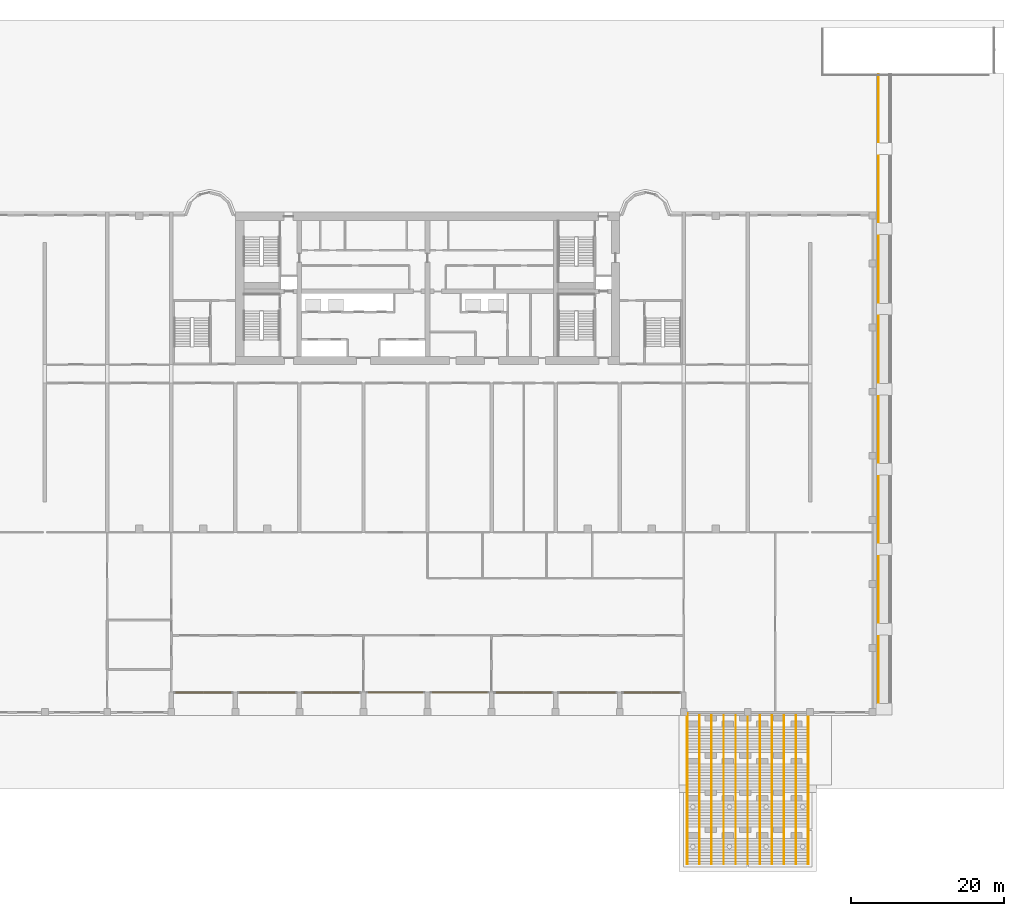
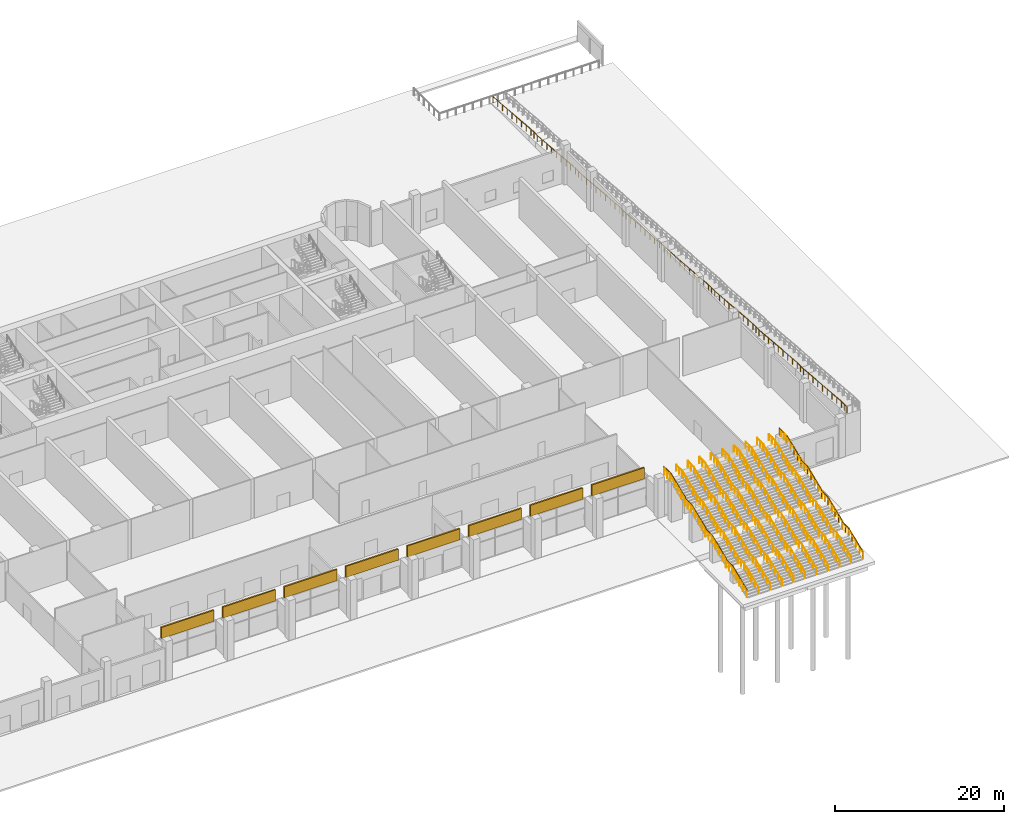
# One storey, part 17 of 20: 14 railings, 8 coverings.
"""IFC4 building model written with IfcOpenShell, lengths in metres."""

from ifc_helpers import new_model, si_unit, direction, frame, frame_2d, origin, origin_2d, place, context, subcontext, project, spatial, rectangle, circle, extrude, source, transform, mapped, material, layer, layer_set, type_object, element, save


model = new_model("IFC4")

# Units and contexts
model_context = context("Model", 3, precision=1e-05, world=origin(), true_north=direction((0.0, 1.0)))
body_context = subcontext(model_context, "Body", "Model", "MODEL_VIEW")
ifc_project = project(units=[si_unit("LENGTHUNIT", "METRE"), si_unit("AREAUNIT", "SQUARE_METRE"), si_unit("VOLUMEUNIT", "CUBIC_METRE"), si_unit("PLANEANGLEUNIT", "RADIAN"), si_unit("MASSUNIT", "GRAM", prefix="KILO")], contexts=[model_context])

# Site, building, storey
site_placement = place(None, origin())
site = spatial("IfcSite", under=ifc_project, at=site_placement, CompositionType="ELEMENT")
building_placement = place(site_placement, origin())
building = spatial("IfcBuilding", under=site, at=building_placement, Name="Vanashikhar Sky Hotel", CompositionType="ELEMENT")
storey_placement = place(building_placement, origin())
storey = spatial("IfcBuildingStorey", under=building, at=storey_placement, Name="L00", CompositionType="ELEMENT", Elevation=0.0)

# Coverings
ifc_material_1 = material(Name="Precast concrete cladding M50", Category="concrete")
ifc_layer = layer(ifc_material_1, 0.199951171875)
ifc_layer_set = layer_set([ifc_layer], Name="Lobby soffit cladding 200")
covering_type = type_object("IfcCoveringType", Name="Lobby soffit cladding 200", PredefinedType="CLADDING", material=ifc_layer_set)
shared_shape_1 = source(origin(), body_context, "Body", "SweptSolid", [
    extrude(rectangle(XDim=7.2001953125, YDim=0.199951171875, at=frame_2d((3.60009765625, 0.0))), origin(), (0.0, 0.0, 1.0), 1.599853515625),
])
for number, where, z_axis, x_axis, name in (
    (1, (17.39990234375, -21.0, 4.050048828125), (0.0, 0.0, 1.0), (1.0, 0.0, 0.0), "Lobby soffit cladding"),
    (2, (59.39990234375, -21.0, 4.050048828125), (0.0, 0.0, 1.0), (1.0, 0.0, 0.0), "Lobby soffit cladding"),
):
    element("IfcCovering", number, at=place(storey_placement, frame(where, z_axis=z_axis, x_axis=x_axis)), inside=storey, type_object=covering_type, Name=name, PredefinedType="CLADDING", context=body_context, shape_type="MappedRepresentation", body=[
        mapped(shared_shape_1, transform((0.0, 0.0, 0.0), scale=1.0)),
    ])
shared_shape_2 = source(origin(), body_context, "Body", "SweptSolid", [
    extrude(rectangle(XDim=7.199951171875, YDim=0.199951171875, at=frame_2d((3.60009765625, 0.0))), origin(), (0.0, 0.0, 1.0), 1.599853515625),
])
for number, where, z_axis, x_axis, name in (
    (3, (25.800048828125, -21.0, 4.050048828125), (0.0, 0.0, 1.0), (1.0, 0.0, 0.0), "Lobby soffit cladding"),
    (4, (34.199951171875, -21.0, 4.050048828125), (0.0, 0.0, 1.0), (1.0, 0.0, 0.0), "Lobby soffit cladding"),
    (5, (42.60009765625, -21.0, 4.050048828125), (0.0, 0.0, 1.0), (1.0, 0.0, 0.0), "Lobby soffit cladding"),
    (6, (51.0, -21.0, 4.050048828125), (0.0, 0.0, 1.0), (1.0, 0.0, 0.0), "Lobby soffit cladding"),
    (7, (67.800048828125, -21.0, 4.050048828125), (0.0, 0.0, 1.0), (1.0, 0.0, 0.0), "Lobby soffit cladding"),
    (8, (76.199951171875, -21.0, 4.050048828125), (0.0, 0.0, 1.0), (1.0, 0.0, 0.0), "Lobby soffit cladding"),
):
    element("IfcCovering", number, at=place(storey_placement, frame(where, z_axis=z_axis, x_axis=x_axis)), inside=storey, type_object=covering_type, Name=name, PredefinedType="CLADDING", context=body_context, shape_type="MappedRepresentation", body=[
        mapped(shared_shape_2, transform((0.0, 0.0, 0.0), scale=1.0)),
    ])

# Railings
ifc_material_2 = material(Name="Stainless steel 316", Category="steel")
railing_type_1 = type_object("IfcRailingType", Name="Garden stair guard 1100", PredefinedType="GUARDRAIL", material=ifc_material_2)
shared_shape_3 = source(origin(), body_context, "Body", "SweptSolid", [
    extrude(circle(Radius=0.02392578125, at=origin_2d()), frame((0.0, 0.0, 1.076171875), z_axis=(0.0, 0.928467426673, 0.371413836046), x_axis=(-1.0, 0.0, 0.0)), (0.0, 0.0, 1.0), 3.635009765625),
    extrude(circle(Radius=0.02392578125, at=origin_2d()), frame((0.0, 3.375, 2.42626953125), z_axis=(0.0, 1.0, 0.0), x_axis=(-1.0, 0.0, 0.0)), (0.0, 0.0, 1.0), 1.5),
    extrude(circle(Radius=0.02392578125, at=origin_2d()), frame((0.0, 4.875, 2.42626953125), z_axis=(0.0, 0.0, 1.0), x_axis=(1.0, 0.0, 0.0)), (0.0, 0.0, 1.0), 0.14990234375),
    extrude(circle(Radius=0.02392578125, at=origin_2d()), frame((0.0, 4.875, 2.576171875), z_axis=(0.0, 0.928467426673, 0.371413836046), x_axis=(-1.0, 0.0, 0.0)), (0.0, 0.0, 1.0), 3.635009765625),
    extrude(circle(Radius=0.02392578125, at=origin_2d()), frame((0.0, 8.25, 3.92626953125), z_axis=(0.0, 1.0, 0.0), x_axis=(-1.0, 0.0, 0.0)), (0.0, 0.0, 1.0), 1.5),
    extrude(circle(Radius=0.02392578125, at=origin_2d()), frame((0.0, 9.75, 3.92626953125), z_axis=(0.0, 0.0, 1.0), x_axis=(1.0, 0.0, 0.0)), (0.0, 0.0, 1.0), 0.14990234375),
    extrude(circle(Radius=0.02392578125, at=origin_2d()), frame((0.0, 9.75, 4.076171875), z_axis=(0.0, 0.928467426673, 0.371413836046), x_axis=(-1.0, 0.0, 0.0)), (0.0, 0.0, 1.0), 3.635009765625),
    extrude(circle(Radius=0.02392578125, at=origin_2d()), frame((0.0, 13.125, 5.42626953125), z_axis=(0.0, 1.0, 0.0), x_axis=(-1.0, 0.0, 0.0)), (0.0, 0.0, 1.0), 1.5),
    extrude(circle(Radius=0.02392578125, at=origin_2d()), frame((0.0, 14.625, 5.42626953125), z_axis=(0.0, 0.0, 1.0), x_axis=(1.0, 0.0, 0.0)), (0.0, 0.0, 1.0), 0.14990234375),
    extrude(circle(Radius=0.02392578125, at=origin_2d()), frame((0.0, 14.625, 5.576171875), z_axis=(0.0, 0.928467426673, 0.371413836046), x_axis=(-1.0, 0.0, 0.0)), (0.0, 0.0, 1.0), 3.635009765625),
    extrude(circle(Radius=0.02392578125, at=origin_2d()), frame((0.0, 18.0, 6.92626953125), z_axis=(0.0, 1.0, 0.0), x_axis=(-1.0, 0.0, 0.0)), (0.0, 0.0, 1.0), 1.75),
    extrude(circle(Radius=0.02099609375, at=origin_2d()), origin(), (0.0, 0.0, 1.0), 1.052001953125),
    extrude(circle(Radius=0.02099609375, at=origin_2d()), frame((0.0, 0.84375, 0.33740234375)), (0.0, 0.0, 1.0), 1.052001953125),
    extrude(circle(Radius=0.02099609375, at=origin_2d()), frame((0.0, 1.6875, 0.675048828125)), (0.0, 0.0, 1.0), 1.052001953125),
    extrude(circle(Radius=0.02099609375, at=origin_2d()), frame((0.0, 2.53125, 1.0126953125)), (0.0, 0.0, 1.0), 1.052001953125),
    extrude(circle(Radius=0.02099609375, at=origin_2d()), frame((0.0, 3.375, 1.35009765625)), (0.0, 0.0, 1.0), 1.052001953125),
    extrude(circle(Radius=0.02099609375, at=origin_2d()), frame((0.0, 4.125, 1.35009765625)), (0.0, 0.0, 1.0), 1.052001953125),
    extrude(circle(Radius=0.02099609375, at=origin_2d()), frame((0.0, 4.875, 1.35009765625)), (0.0, 0.0, 1.0), 1.052001953125),
    extrude(circle(Radius=0.02099609375, at=origin_2d()), frame((0.0, 4.875, 1.5)), (0.0, 0.0, 1.0), 1.052001953125),
    extrude(circle(Radius=0.02099609375, at=origin_2d()), frame((0.0, 5.71875, 1.83740234375)), (0.0, 0.0, 1.0), 1.052001953125),
    extrude(circle(Radius=0.02099609375, at=origin_2d()), frame((0.0, 6.5625, 2.175048828125)), (0.0, 0.0, 1.0), 1.052001953125),
    extrude(circle(Radius=0.02099609375, at=origin_2d()), frame((0.0, 7.40625, 2.5126953125)), (0.0, 0.0, 1.0), 1.052001953125),
    extrude(circle(Radius=0.02099609375, at=origin_2d()), frame((0.0, 8.25, 2.85009765625)), (0.0, 0.0, 1.0), 1.052001953125),
    extrude(circle(Radius=0.02099609375, at=origin_2d()), frame((0.0, 9.0, 2.85009765625)), (0.0, 0.0, 1.0), 1.052001953125),
    extrude(circle(Radius=0.02099609375, at=origin_2d()), frame((0.0, 9.75, 2.85009765625)), (0.0, 0.0, 1.0), 1.052001953125),
    extrude(circle(Radius=0.02099609375, at=origin_2d()), frame((0.0, 9.75, 3.0)), (0.0, 0.0, 1.0), 1.052001953125),
    extrude(circle(Radius=0.02099609375, at=origin_2d()), frame((0.0, 10.59375, 3.33740234375)), (0.0, 0.0, 1.0), 1.052001953125),
    extrude(circle(Radius=0.02099609375, at=origin_2d()), frame((0.0, 11.4375, 3.675048828125)), (0.0, 0.0, 1.0), 1.052001953125),
    extrude(circle(Radius=0.02099609375, at=origin_2d()), frame((0.0, 12.28125, 4.0126953125)), (0.0, 0.0, 1.0), 1.052001953125),
    extrude(circle(Radius=0.02099609375, at=origin_2d()), frame((0.0, 13.125, 4.35009765625)), (0.0, 0.0, 1.0), 1.052001953125),
    extrude(circle(Radius=0.02099609375, at=origin_2d()), frame((0.0, 13.875, 4.35009765625)), (0.0, 0.0, 1.0), 1.052001953125),
    extrude(circle(Radius=0.02099609375, at=origin_2d()), frame((0.0, 14.625, 4.35009765625)), (0.0, 0.0, 1.0), 1.052001953125),
    extrude(circle(Radius=0.02099609375, at=origin_2d()), frame((0.0, 14.625, 4.5)), (0.0, 0.0, 1.0), 1.052001953125),
    extrude(circle(Radius=0.02099609375, at=origin_2d()), frame((0.0, 15.46875, 4.83740234375)), (0.0, 0.0, 1.0), 1.052001953125),
    extrude(circle(Radius=0.02099609375, at=origin_2d()), frame((0.0, 16.3125, 5.175048828125)), (0.0, 0.0, 1.0), 1.052001953125),
    extrude(circle(Radius=0.02099609375, at=origin_2d()), frame((0.0, 17.15625, 5.5126953125)), (0.0, 0.0, 1.0), 1.052001953125),
    extrude(circle(Radius=0.02099609375, at=origin_2d()), frame((0.0, 18.0, 5.85009765625)), (0.0, 0.0, 1.0), 1.052001953125),
    extrude(circle(Radius=0.02099609375, at=origin_2d()), frame((0.0, 18.875, 5.85009765625)), (0.0, 0.0, 1.0), 1.052001953125),
    extrude(circle(Radius=0.02099609375, at=origin_2d()), frame((0.0, 19.75, 5.85009765625)), (0.0, 0.0, 1.0), 1.052001953125),
])
for number, where, name in (
    (9, (84.5, -43.5, 0.14990234375), "Garden stair guard"),
    (10, (100.300048828125, -43.5, 0.14990234375), "Garden stair guard"),
):
    element("IfcRailing", number, at=place(storey_placement, frame(where)), inside=storey, type_object=railing_type_1, Name=name, PredefinedType="GUARDRAIL", context=body_context, shape_type="MappedRepresentation", body=[
        mapped(shared_shape_3, transform((0.0, 0.0, 0.0), scale=1.0)),
    ])
railing_type_2 = type_object("IfcRailingType", Name="Handrail 900", PredefinedType="HANDRAIL", material=ifc_material_2)
shared_shape_4 = source(origin(), body_context, "Body", "SweptSolid", [
    extrude(circle(Radius=0.02392578125, at=origin_2d()), frame((0.0, 0.0, 0.8759765625), z_axis=(0.0, 0.928467426673, 0.371413836046), x_axis=(-1.0, 0.0, 0.0)), (0.0, 0.0, 1.0), 3.635009765625),
    extrude(circle(Radius=0.02392578125, at=origin_2d()), frame((0.0, 3.375, 2.22607421875), z_axis=(0.0, 1.0, 0.0), x_axis=(-1.0, 0.0, 0.0)), (0.0, 0.0, 1.0), 1.5),
    extrude(circle(Radius=0.02392578125, at=origin_2d()), frame((0.0, 4.875, 2.22607421875), z_axis=(0.0, 0.0, 1.0), x_axis=(1.0, 0.0, 0.0)), (0.0, 0.0, 1.0), 0.14990234375),
    extrude(circle(Radius=0.02392578125, at=origin_2d()), frame((0.0, 4.875, 2.3759765625), z_axis=(0.0, 0.928467426673, 0.371413836046), x_axis=(-1.0, 0.0, 0.0)), (0.0, 0.0, 1.0), 3.635009765625),
    extrude(circle(Radius=0.02392578125, at=origin_2d()), frame((0.0, 8.25, 3.72607421875), z_axis=(0.0, 1.0, 0.0), x_axis=(-1.0, 0.0, 0.0)), (0.0, 0.0, 1.0), 1.5),
    extrude(circle(Radius=0.02392578125, at=origin_2d()), frame((0.0, 9.75, 3.72607421875), z_axis=(0.0, 0.0, 1.0), x_axis=(1.0, 0.0, 0.0)), (0.0, 0.0, 1.0), 0.14990234375),
    extrude(circle(Radius=0.02392578125, at=origin_2d()), frame((0.0, 9.75, 3.8759765625), z_axis=(0.0, 0.928467426673, 0.371413836046), x_axis=(-1.0, 0.0, 0.0)), (0.0, 0.0, 1.0), 3.635009765625),
    extrude(circle(Radius=0.02392578125, at=origin_2d()), frame((0.0, 13.125, 5.22607421875), z_axis=(0.0, 1.0, 0.0), x_axis=(-1.0, 0.0, 0.0)), (0.0, 0.0, 1.0), 1.5),
    extrude(circle(Radius=0.02392578125, at=origin_2d()), frame((0.0, 14.625, 5.22607421875), z_axis=(0.0, 0.0, 1.0), x_axis=(1.0, 0.0, 0.0)), (0.0, 0.0, 1.0), 0.14990234375),
    extrude(circle(Radius=0.02392578125, at=origin_2d()), frame((0.0, 14.625, 5.3759765625), z_axis=(0.0, 0.928467426673, 0.371413836046), x_axis=(-1.0, 0.0, 0.0)), (0.0, 0.0, 1.0), 3.635009765625),
    extrude(circle(Radius=0.02392578125, at=origin_2d()), frame((0.0, 18.0, 6.72607421875), z_axis=(0.0, 1.0, 0.0), x_axis=(-1.0, 0.0, 0.0)), (0.0, 0.0, 1.0), 1.5),
    extrude(circle(Radius=0.02099609375, at=origin_2d()), origin(), (0.0, 0.0, 1.0), 0.851806640625),
    extrude(circle(Radius=0.02099609375, at=origin_2d()), frame((0.0, 0.84375, 0.33740234375)), (0.0, 0.0, 1.0), 0.851806640625),
    extrude(circle(Radius=0.02099609375, at=origin_2d()), frame((0.0, 1.6875, 0.675048828125)), (0.0, 0.0, 1.0), 0.851806640625),
    extrude(circle(Radius=0.02099609375, at=origin_2d()), frame((0.0, 2.53125, 1.0126953125)), (0.0, 0.0, 1.0), 0.851806640625),
    extrude(circle(Radius=0.02099609375, at=origin_2d()), frame((0.0, 3.375, 1.35009765625)), (0.0, 0.0, 1.0), 0.851806640625),
    extrude(circle(Radius=0.02099609375, at=origin_2d()), frame((0.0, 4.125, 1.35009765625)), (0.0, 0.0, 1.0), 0.851806640625),
    extrude(circle(Radius=0.02099609375, at=origin_2d()), frame((0.0, 4.875, 1.35009765625)), (0.0, 0.0, 1.0), 0.851806640625),
    extrude(circle(Radius=0.02099609375, at=origin_2d()), frame((0.0, 4.875, 1.5)), (0.0, 0.0, 1.0), 0.851806640625),
    extrude(circle(Radius=0.02099609375, at=origin_2d()), frame((0.0, 5.71875, 1.83740234375)), (0.0, 0.0, 1.0), 0.851806640625),
    extrude(circle(Radius=0.02099609375, at=origin_2d()), frame((0.0, 6.5625, 2.175048828125)), (0.0, 0.0, 1.0), 0.851806640625),
    extrude(circle(Radius=0.02099609375, at=origin_2d()), frame((0.0, 7.40625, 2.5126953125)), (0.0, 0.0, 1.0), 0.851806640625),
    extrude(circle(Radius=0.02099609375, at=origin_2d()), frame((0.0, 8.25, 2.85009765625)), (0.0, 0.0, 1.0), 0.851806640625),
    extrude(circle(Radius=0.02099609375, at=origin_2d()), frame((0.0, 9.0, 2.85009765625)), (0.0, 0.0, 1.0), 0.851806640625),
    extrude(circle(Radius=0.02099609375, at=origin_2d()), frame((0.0, 9.75, 2.85009765625)), (0.0, 0.0, 1.0), 0.851806640625),
    extrude(circle(Radius=0.02099609375, at=origin_2d()), frame((0.0, 9.75, 3.0)), (0.0, 0.0, 1.0), 0.851806640625),
    extrude(circle(Radius=0.02099609375, at=origin_2d()), frame((0.0, 10.59375, 3.33740234375)), (0.0, 0.0, 1.0), 0.851806640625),
    extrude(circle(Radius=0.02099609375, at=origin_2d()), frame((0.0, 11.4375, 3.675048828125)), (0.0, 0.0, 1.0), 0.851806640625),
    extrude(circle(Radius=0.02099609375, at=origin_2d()), frame((0.0, 12.28125, 4.0126953125)), (0.0, 0.0, 1.0), 0.851806640625),
    extrude(circle(Radius=0.02099609375, at=origin_2d()), frame((0.0, 13.125, 4.35009765625)), (0.0, 0.0, 1.0), 0.851806640625),
    extrude(circle(Radius=0.02099609375, at=origin_2d()), frame((0.0, 13.875, 4.35009765625)), (0.0, 0.0, 1.0), 0.851806640625),
    extrude(circle(Radius=0.02099609375, at=origin_2d()), frame((0.0, 14.625, 4.35009765625)), (0.0, 0.0, 1.0), 0.851806640625),
    extrude(circle(Radius=0.02099609375, at=origin_2d()), frame((0.0, 14.625, 4.5)), (0.0, 0.0, 1.0), 0.851806640625),
    extrude(circle(Radius=0.02099609375, at=origin_2d()), frame((0.0, 15.46875, 4.83740234375)), (0.0, 0.0, 1.0), 0.851806640625),
    extrude(circle(Radius=0.02099609375, at=origin_2d()), frame((0.0, 16.3125, 5.175048828125)), (0.0, 0.0, 1.0), 0.851806640625),
    extrude(circle(Radius=0.02099609375, at=origin_2d()), frame((0.0, 17.15625, 5.5126953125)), (0.0, 0.0, 1.0), 0.851806640625),
    extrude(circle(Radius=0.02099609375, at=origin_2d()), frame((0.0, 18.0, 5.85009765625)), (0.0, 0.0, 1.0), 0.851806640625),
    extrude(circle(Radius=0.02099609375, at=origin_2d()), frame((0.0, 18.75, 5.85009765625)), (0.0, 0.0, 1.0), 0.851806640625),
    extrude(circle(Radius=0.02099609375, at=origin_2d()), frame((0.0, 19.5, 5.85009765625)), (0.0, 0.0, 1.0), 0.851806640625),
])
for number, where, name in (
    (11, (84.43994140625, -43.5, 0.14990234375), "Garden stair handrail"),
    (12, (100.360107421875, -43.5, 0.14990234375), "Garden stair handrail"),
    (13, (86.080078125, -43.5, 0.14990234375), "Garden stair centre handrail"),
    (14, (87.659912109375, -43.5, 0.14990234375), "Garden stair centre handrail"),
    (15, (89.239990234375, -43.5, 0.14990234375), "Garden stair centre handrail"),
    (16, (90.820068359375, -43.5, 0.14990234375), "Garden stair centre handrail"),
    (17, (92.39990234375, -43.5, 0.14990234375), "Garden stair centre handrail"),
    (18, (93.97998046875, -43.5, 0.14990234375), "Garden stair centre handrail"),
    (19, (95.56005859375, -43.5, 0.14990234375), "Garden stair centre handrail"),
    (20, (97.139892578125, -43.5, 0.14990234375), "Garden stair centre handrail"),
    (21, (98.719970703125, -43.5, 0.14990234375), "Garden stair centre handrail"),
):
    element("IfcRailing", number, at=place(storey_placement, frame(where)), inside=storey, type_object=railing_type_2, Name=name, PredefinedType="HANDRAIL", context=body_context, shape_type="MappedRepresentation", body=[
        mapped(shared_shape_4, transform((0.0, 0.0, 0.0), scale=1.0)),
    ])
shared_shape_5 = source(origin(), body_context, "Body", "SweptSolid", [
    extrude(circle(Radius=0.02392578125, at=origin_2d()), frame((0.0, 0.0, 0.8759765625), z_axis=(0.0, 1.0, 0.0), x_axis=(-1.0, 0.0, 0.0)), (0.0, 0.0, 1.0), 1.300048828125),
    extrude(circle(Radius=0.02392578125, at=origin_2d()), frame((0.0, 1.300048828125, 0.8759765625), z_axis=(0.0, 0.996545758245, -0.083045479854), x_axis=(-1.0, 0.0, 0.0)), (0.0, 0.0, 1.0), 9.03125),
    extrude(circle(Radius=0.02392578125, at=origin_2d()), frame((0.0, 10.300048828125, 0.1259765625), z_axis=(0.0, 1.0, 0.0), x_axis=(-1.0, 0.0, 0.0)), (0.0, 0.0, 1.0), 1.5),
    extrude(circle(Radius=0.02392578125, at=origin_2d()), frame((0.0, 11.800048828125, 0.1259765625), z_axis=(0.0, 0.996545758245, -0.083045479854), x_axis=(-1.0, 0.0, 0.0)), (0.0, 0.0, 1.0), 9.03125),
    extrude(circle(Radius=0.02392578125, at=origin_2d()), frame((0.0, 20.800048828125, -0.6240234375), z_axis=(0.0, 1.0, 0.0), x_axis=(-1.0, 0.0, 0.0)), (0.0, 0.0, 1.0), 1.5),
    extrude(circle(Radius=0.02392578125, at=origin_2d()), frame((0.0, 22.300048828125, -0.6240234375), z_axis=(0.0, 0.996545758245, -0.083045479854), x_axis=(-1.0, 0.0, 0.0)), (0.0, 0.0, 1.0), 9.03125),
    extrude(circle(Radius=0.02392578125, at=origin_2d()), frame((0.0, 31.300048828125, -1.3740234375), z_axis=(0.0, 1.0, 0.0), x_axis=(-1.0, 0.0, 0.0)), (0.0, 0.0, 1.0), 1.5),
    extrude(circle(Radius=0.02392578125, at=origin_2d()), frame((0.0, 32.800048828125, -1.3740234375), z_axis=(0.0, 0.996545758245, -0.083045479854), x_axis=(-1.0, 0.0, 0.0)), (0.0, 0.0, 1.0), 9.03125),
    extrude(circle(Radius=0.02392578125, at=origin_2d()), frame((0.0, 41.800048828125, -2.1240234375), z_axis=(0.0, 1.0, 0.0), x_axis=(-1.0, 0.0, 0.0)), (0.0, 0.0, 1.0), 1.5),
    extrude(circle(Radius=0.02392578125, at=origin_2d()), frame((0.0, 43.300048828125, -2.1240234375), z_axis=(0.0, 0.996545758245, -0.083045479854), x_axis=(-1.0, 0.0, 0.0)), (0.0, 0.0, 1.0), 9.03125),
    extrude(circle(Radius=0.02392578125, at=origin_2d()), frame((0.0, 52.300048828125, -2.8740234375), z_axis=(0.0, 1.0, 0.0), x_axis=(-1.0, 0.0, 0.0)), (0.0, 0.0, 1.0), 1.5),
    extrude(circle(Radius=0.02392578125, at=origin_2d()), frame((0.0, 53.800048828125, -2.8740234375), z_axis=(0.0, 0.996545758245, -0.083045479854), x_axis=(-1.0, 0.0, 0.0)), (0.0, 0.0, 1.0), 9.03125),
    extrude(circle(Radius=0.02392578125, at=origin_2d()), frame((0.0, 62.800048828125, -3.6240234375), z_axis=(0.0, 1.0, 0.0), x_axis=(-1.0, 0.0, 0.0)), (0.0, 0.0, 1.0), 1.5),
    extrude(circle(Radius=0.02392578125, at=origin_2d()), frame((0.0, 64.300048828125, -3.6240234375), z_axis=(0.0, 0.996545758245, -0.083045479854), x_axis=(-1.0, 0.0, 0.0)), (0.0, 0.0, 1.0), 9.03125),
    extrude(circle(Radius=0.02392578125, at=origin_2d()), frame((0.0, 73.300048828125, -4.3740234375), z_axis=(0.0, 1.0, 0.0), x_axis=(-1.0, 0.0, 0.0)), (0.0, 0.0, 1.0), 1.5),
    extrude(circle(Radius=0.02392578125, at=origin_2d()), frame((0.0, 74.800048828125, -4.3740234375), z_axis=(0.0, 0.996545758245, -0.083045479854), x_axis=(-1.0, 0.0, 0.0)), (0.0, 0.0, 1.0), 9.03125),
    extrude(circle(Radius=0.02099609375, at=origin_2d()), origin(), (0.0, 0.0, 1.0), 0.851806640625),
    extrude(circle(Radius=0.02099609375, at=origin_2d()), frame((0.0, 0.64990234375, 0.0)), (0.0, 0.0, 1.0), 0.851806640625),
    extrude(circle(Radius=0.02099609375, at=origin_2d()), frame((0.0, 1.300048828125, 0.0)), (0.0, 0.0, 1.0), 0.851806640625),
    extrude(circle(Radius=0.02099609375, at=origin_2d()), frame((0.0, 2.425048828125, -0.09375)), (0.0, 0.0, 1.0), 0.851806640625),
    extrude(circle(Radius=0.02099609375, at=origin_2d()), frame((0.0, 3.550048828125, -0.1875)), (0.0, 0.0, 1.0), 0.851806640625),
    extrude(circle(Radius=0.02099609375, at=origin_2d()), frame((0.0, 4.675048828125, -0.28125)), (0.0, 0.0, 1.0), 0.851806640625),
    extrude(circle(Radius=0.02099609375, at=origin_2d()), frame((0.0, 5.800048828125, -0.375)), (0.0, 0.0, 1.0), 0.851806640625),
    extrude(circle(Radius=0.02099609375, at=origin_2d()), frame((0.0, 6.925048828125, -0.46875)), (0.0, 0.0, 1.0), 0.851806640625),
    extrude(circle(Radius=0.02099609375, at=origin_2d()), frame((0.0, 8.050048828125, -0.5625)), (0.0, 0.0, 1.0), 0.851806640625),
    extrude(circle(Radius=0.02099609375, at=origin_2d()), frame((0.0, 9.175048828125, -0.65625)), (0.0, 0.0, 1.0), 0.851806640625),
    extrude(circle(Radius=0.02099609375, at=origin_2d()), frame((0.0, 10.300048828125, -0.75)), (0.0, 0.0, 1.0), 0.851806640625),
    extrude(circle(Radius=0.02099609375, at=origin_2d()), frame((0.0, 11.050048828125, -0.75)), (0.0, 0.0, 1.0), 0.851806640625),
    extrude(circle(Radius=0.02099609375, at=origin_2d()), frame((0.0, 11.800048828125, -0.75)), (0.0, 0.0, 1.0), 0.851806640625),
    extrude(circle(Radius=0.02099609375, at=origin_2d()), frame((0.0, 12.925048828125, -0.84375)), (0.0, 0.0, 1.0), 0.851806640625),
    extrude(circle(Radius=0.02099609375, at=origin_2d()), frame((0.0, 14.050048828125, -0.9375)), (0.0, 0.0, 1.0), 0.851806640625),
    extrude(circle(Radius=0.02099609375, at=origin_2d()), frame((0.0, 15.175048828125, -1.03125)), (0.0, 0.0, 1.0), 0.851806640625),
    extrude(circle(Radius=0.02099609375, at=origin_2d()), frame((0.0, 16.300048828125, -1.125)), (0.0, 0.0, 1.0), 0.851806640625),
    extrude(circle(Radius=0.02099609375, at=origin_2d()), frame((0.0, 17.425048828125, -1.21875)), (0.0, 0.0, 1.0), 0.851806640625),
    extrude(circle(Radius=0.02099609375, at=origin_2d()), frame((0.0, 18.550048828125, -1.3125)), (0.0, 0.0, 1.0), 0.851806640625),
    extrude(circle(Radius=0.02099609375, at=origin_2d()), frame((0.0, 19.675048828125, -1.40625)), (0.0, 0.0, 1.0), 0.851806640625),
    extrude(circle(Radius=0.02099609375, at=origin_2d()), frame((0.0, 20.800048828125, -1.5)), (0.0, 0.0, 1.0), 0.851806640625),
    extrude(circle(Radius=0.02099609375, at=origin_2d()), frame((0.0, 21.550048828125, -1.5)), (0.0, 0.0, 1.0), 0.851806640625),
    extrude(circle(Radius=0.02099609375, at=origin_2d()), frame((0.0, 22.300048828125, -1.5)), (0.0, 0.0, 1.0), 0.851806640625),
    extrude(circle(Radius=0.02099609375, at=origin_2d()), frame((0.0, 23.425048828125, -1.59375)), (0.0, 0.0, 1.0), 0.851806640625),
    extrude(circle(Radius=0.02099609375, at=origin_2d()), frame((0.0, 24.550048828125, -1.6875)), (0.0, 0.0, 1.0), 0.851806640625),
    extrude(circle(Radius=0.02099609375, at=origin_2d()), frame((0.0, 25.675048828125, -1.78125)), (0.0, 0.0, 1.0), 0.851806640625),
    extrude(circle(Radius=0.02099609375, at=origin_2d()), frame((0.0, 26.800048828125, -1.875)), (0.0, 0.0, 1.0), 0.851806640625),
    extrude(circle(Radius=0.02099609375, at=origin_2d()), frame((0.0, 27.925048828125, -1.96875)), (0.0, 0.0, 1.0), 0.851806640625),
    extrude(circle(Radius=0.02099609375, at=origin_2d()), frame((0.0, 29.050048828125, -2.0625)), (0.0, 0.0, 1.0), 0.851806640625),
    extrude(circle(Radius=0.02099609375, at=origin_2d()), frame((0.0, 30.175048828125, -2.15625)), (0.0, 0.0, 1.0), 0.851806640625),
    extrude(circle(Radius=0.02099609375, at=origin_2d()), frame((0.0, 31.300048828125, -2.25)), (0.0, 0.0, 1.0), 0.851806640625),
    extrude(circle(Radius=0.02099609375, at=origin_2d()), frame((0.0, 32.050048828125, -2.25)), (0.0, 0.0, 1.0), 0.851806640625),
    extrude(circle(Radius=0.02099609375, at=origin_2d()), frame((0.0, 32.800048828125, -2.25)), (0.0, 0.0, 1.0), 0.851806640625),
    extrude(circle(Radius=0.02099609375, at=origin_2d()), frame((0.0, 33.925048828125, -2.34375)), (0.0, 0.0, 1.0), 0.851806640625),
    extrude(circle(Radius=0.02099609375, at=origin_2d()), frame((0.0, 35.050048828125, -2.4375)), (0.0, 0.0, 1.0), 0.851806640625),
    extrude(circle(Radius=0.02099609375, at=origin_2d()), frame((0.0, 36.175048828125, -2.53125)), (0.0, 0.0, 1.0), 0.851806640625),
    extrude(circle(Radius=0.02099609375, at=origin_2d()), frame((0.0, 37.300048828125, -2.625)), (0.0, 0.0, 1.0), 0.851806640625),
    extrude(circle(Radius=0.02099609375, at=origin_2d()), frame((0.0, 38.425048828125, -2.71875)), (0.0, 0.0, 1.0), 0.851806640625),
    extrude(circle(Radius=0.02099609375, at=origin_2d()), frame((0.0, 39.550048828125, -2.8125)), (0.0, 0.0, 1.0), 0.851806640625),
    extrude(circle(Radius=0.02099609375, at=origin_2d()), frame((0.0, 40.675048828125, -2.90625)), (0.0, 0.0, 1.0), 0.851806640625),
    extrude(circle(Radius=0.02099609375, at=origin_2d()), frame((0.0, 41.800048828125, -3.0)), (0.0, 0.0, 1.0), 0.851806640625),
    extrude(circle(Radius=0.02099609375, at=origin_2d()), frame((0.0, 42.550048828125, -3.0)), (0.0, 0.0, 1.0), 0.851806640625),
    extrude(circle(Radius=0.02099609375, at=origin_2d()), frame((0.0, 43.300048828125, -3.0)), (0.0, 0.0, 1.0), 0.851806640625),
    extrude(circle(Radius=0.02099609375, at=origin_2d()), frame((0.0, 44.425048828125, -3.09375)), (0.0, 0.0, 1.0), 0.851806640625),
    extrude(circle(Radius=0.02099609375, at=origin_2d()), frame((0.0, 45.550048828125, -3.1875)), (0.0, 0.0, 1.0), 0.851806640625),
    extrude(circle(Radius=0.02099609375, at=origin_2d()), frame((0.0, 46.675048828125, -3.28125)), (0.0, 0.0, 1.0), 0.851806640625),
    extrude(circle(Radius=0.02099609375, at=origin_2d()), frame((0.0, 47.800048828125, -3.375)), (0.0, 0.0, 1.0), 0.851806640625),
    extrude(circle(Radius=0.02099609375, at=origin_2d()), frame((0.0, 48.925048828125, -3.46875)), (0.0, 0.0, 1.0), 0.851806640625),
    extrude(circle(Radius=0.02099609375, at=origin_2d()), frame((0.0, 50.050048828125, -3.5625)), (0.0, 0.0, 1.0), 0.851806640625),
    extrude(circle(Radius=0.02099609375, at=origin_2d()), frame((0.0, 51.175048828125, -3.65625)), (0.0, 0.0, 1.0), 0.851806640625),
    extrude(circle(Radius=0.02099609375, at=origin_2d()), frame((0.0, 52.300048828125, -3.75)), (0.0, 0.0, 1.0), 0.851806640625),
    extrude(circle(Radius=0.02099609375, at=origin_2d()), frame((0.0, 53.050048828125, -3.75)), (0.0, 0.0, 1.0), 0.851806640625),
    extrude(circle(Radius=0.02099609375, at=origin_2d()), frame((0.0, 53.800048828125, -3.75)), (0.0, 0.0, 1.0), 0.851806640625),
    extrude(circle(Radius=0.02099609375, at=origin_2d()), frame((0.0, 54.925048828125, -3.84375)), (0.0, 0.0, 1.0), 0.851806640625),
    extrude(circle(Radius=0.02099609375, at=origin_2d()), frame((0.0, 56.050048828125, -3.9375)), (0.0, 0.0, 1.0), 0.851806640625),
    extrude(circle(Radius=0.02099609375, at=origin_2d()), frame((0.0, 57.175048828125, -4.03125)), (0.0, 0.0, 1.0), 0.851806640625),
    extrude(circle(Radius=0.02099609375, at=origin_2d()), frame((0.0, 58.300048828125, -4.125)), (0.0, 0.0, 1.0), 0.851806640625),
    extrude(circle(Radius=0.02099609375, at=origin_2d()), frame((0.0, 59.425048828125, -4.21875)), (0.0, 0.0, 1.0), 0.851806640625),
    extrude(circle(Radius=0.02099609375, at=origin_2d()), frame((0.0, 60.550048828125, -4.3125)), (0.0, 0.0, 1.0), 0.851806640625),
    extrude(circle(Radius=0.02099609375, at=origin_2d()), frame((0.0, 61.675048828125, -4.40625)), (0.0, 0.0, 1.0), 0.851806640625),
    extrude(circle(Radius=0.02099609375, at=origin_2d()), frame((0.0, 62.800048828125, -4.5)), (0.0, 0.0, 1.0), 0.851806640625),
    extrude(circle(Radius=0.02099609375, at=origin_2d()), frame((0.0, 63.550048828125, -4.5)), (0.0, 0.0, 1.0), 0.851806640625),
    extrude(circle(Radius=0.02099609375, at=origin_2d()), frame((0.0, 64.300048828125, -4.5)), (0.0, 0.0, 1.0), 0.851806640625),
    extrude(circle(Radius=0.02099609375, at=origin_2d()), frame((0.0, 65.425048828125, -4.59375)), (0.0, 0.0, 1.0), 0.851806640625),
    extrude(circle(Radius=0.02099609375, at=origin_2d()), frame((0.0, 66.550048828125, -4.6875)), (0.0, 0.0, 1.0), 0.851806640625),
    extrude(circle(Radius=0.02099609375, at=origin_2d()), frame((0.0, 67.675048828125, -4.78125)), (0.0, 0.0, 1.0), 0.851806640625),
    extrude(circle(Radius=0.02099609375, at=origin_2d()), frame((0.0, 68.800048828125, -4.875)), (0.0, 0.0, 1.0), 0.851806640625),
    extrude(circle(Radius=0.02099609375, at=origin_2d()), frame((0.0, 69.925048828125, -4.96875)), (0.0, 0.0, 1.0), 0.851806640625),
    extrude(circle(Radius=0.02099609375, at=origin_2d()), frame((0.0, 71.050048828125, -5.0625)), (0.0, 0.0, 1.0), 0.851806640625),
    extrude(circle(Radius=0.02099609375, at=origin_2d()), frame((0.0, 72.175048828125, -5.15625)), (0.0, 0.0, 1.0), 0.851806640625),
    extrude(circle(Radius=0.02099609375, at=origin_2d()), frame((0.0, 73.300048828125, -5.25)), (0.0, 0.0, 1.0), 0.851806640625),
    extrude(circle(Radius=0.02099609375, at=origin_2d()), frame((0.0, 74.050048828125, -5.25)), (0.0, 0.0, 1.0), 0.851806640625),
    extrude(circle(Radius=0.02099609375, at=origin_2d()), frame((0.0, 74.800048828125, -5.25)), (0.0, 0.0, 1.0), 0.851806640625),
    extrude(circle(Radius=0.02099609375, at=origin_2d()), frame((0.0, 75.925048828125, -5.34375)), (0.0, 0.0, 1.0), 0.851806640625),
    extrude(circle(Radius=0.02099609375, at=origin_2d()), frame((0.0, 77.050048828125, -5.4375)), (0.0, 0.0, 1.0), 0.851806640625),
    extrude(circle(Radius=0.02099609375, at=origin_2d()), frame((0.0, 78.175048828125, -5.53125)), (0.0, 0.0, 1.0), 0.851806640625),
    extrude(circle(Radius=0.02099609375, at=origin_2d()), frame((0.0, 79.300048828125, -5.625)), (0.0, 0.0, 1.0), 0.851806640625),
    extrude(circle(Radius=0.02099609375, at=origin_2d()), frame((0.0, 80.425048828125, -5.71875)), (0.0, 0.0, 1.0), 0.851806640625),
    extrude(circle(Radius=0.02099609375, at=origin_2d()), frame((0.0, 81.550048828125, -5.8125)), (0.0, 0.0, 1.0), 0.851806640625),
    extrude(circle(Radius=0.02099609375, at=origin_2d()), frame((0.0, 82.675048828125, -5.90625)), (0.0, 0.0, 1.0), 0.851806640625),
    extrude(circle(Radius=0.02099609375, at=origin_2d()), frame((0.0, 83.800048828125, -6.0)), (0.0, 0.0, 1.0), 0.851806640625),
])
railing_placement = place(storey_placement, frame((109.550048828125, -23.75, 6.0)))
element("IfcRailing", 22, at=railing_placement, inside=storey, type_object=railing_type_2, Name="Ramp handrail", PredefinedType="HANDRAIL", context=body_context, shape_type="MappedRepresentation", body=[
    mapped(shared_shape_5, transform((0.0, 0.0, 0.0), scale=1.0)),
])

save(model, "model.ifc")
